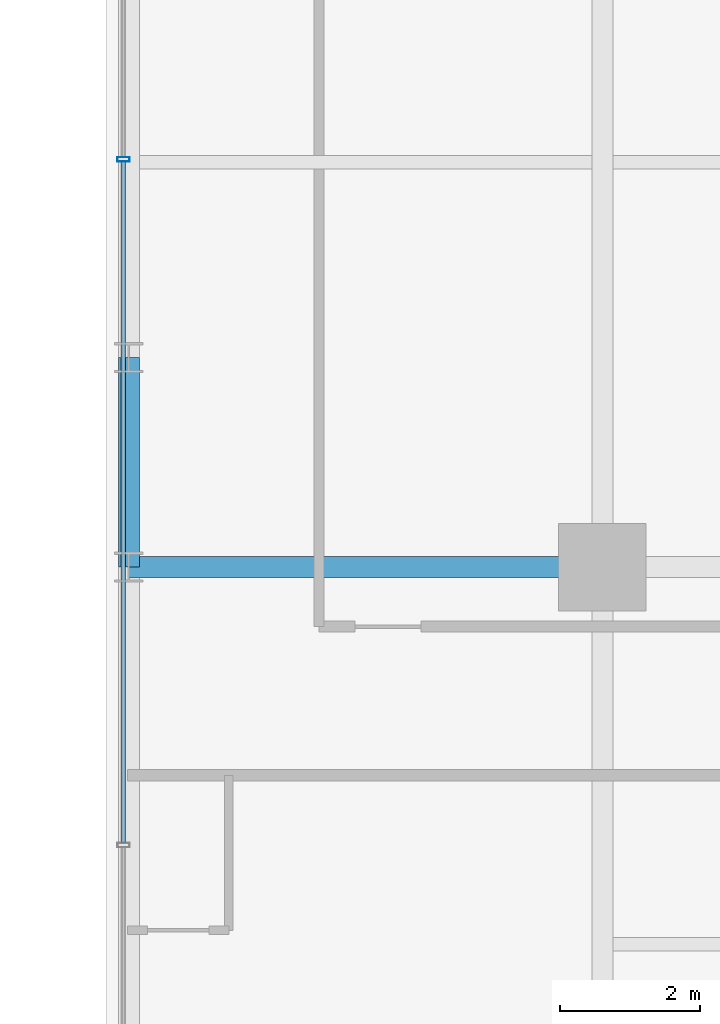
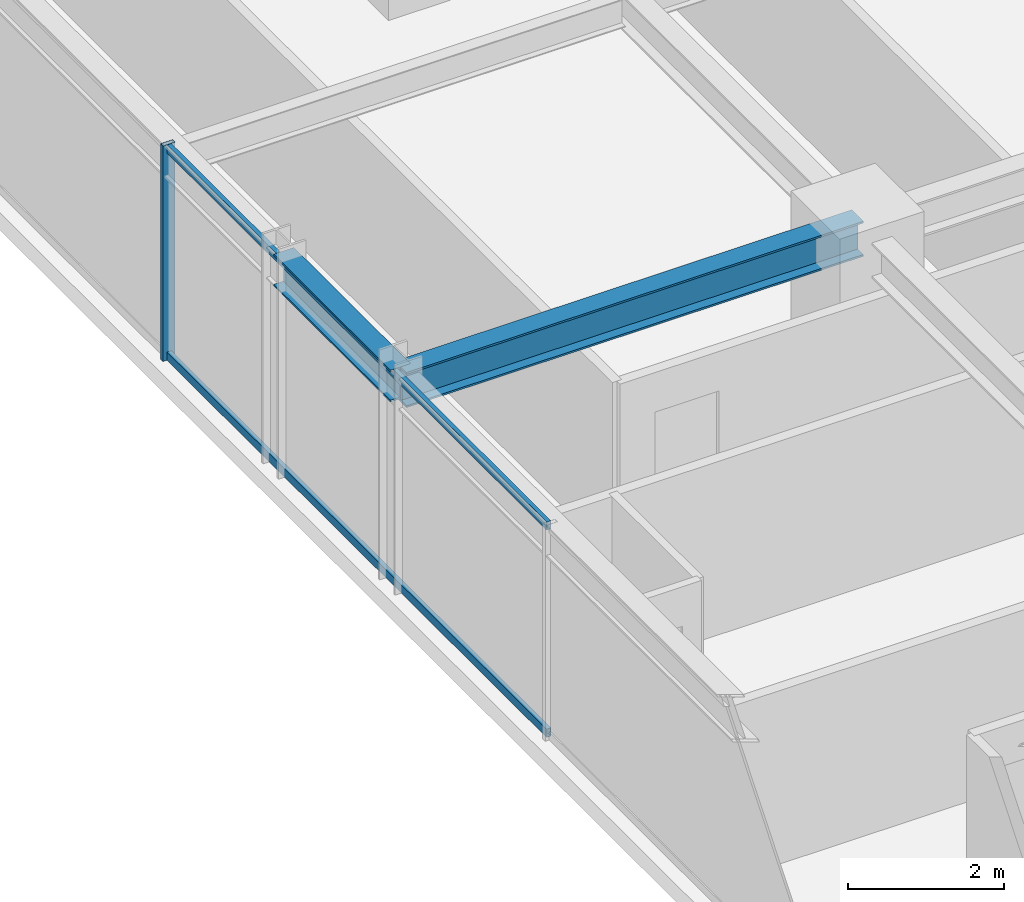
# One storey, part 17 of 32: 3 members, 2 beams, 1 element without a shape of its own.
"""IFC4 building model written with IfcOpenShell, lengths in metres."""

from ifc_helpers import new_model, si_unit, direction, frame, origin, origin_2d, place, context, subcontext, project, spatial, hollow_rectangle, i_section, extrude, source, transform, mapped, material, material_profile, profile_set, type_object, element, aggregate, save


model = new_model("IFC4")

# Units and contexts
model_context = context("Model", 3, precision=1e-05, world=origin(), true_north=direction((0.0, 1.0)))
body_context = subcontext(model_context, "Body", "Model", "MODEL_VIEW")
ifc_project = project(units=[si_unit("LENGTHUNIT", "METRE"), si_unit("AREAUNIT", "SQUARE_METRE"), si_unit("VOLUMEUNIT", "CUBIC_METRE"), si_unit("PLANEANGLEUNIT", "RADIAN"), si_unit("MASSUNIT", "GRAM", prefix="KILO")], contexts=[model_context])

# Site, building, storey
site_placement = place(None, origin())
site = spatial("IfcSite", under=ifc_project, at=site_placement, CompositionType="ELEMENT")
building_placement = place(site_placement, origin())
building = spatial("IfcBuilding", under=site, at=building_placement, Name="Nahalor Promenade Grand Hotel", CompositionType="ELEMENT")
storey_placement = place(building_placement, frame((0.0, 0.0, 110.199951171875)))
storey = spatial("IfcBuildingStorey", under=building, at=storey_placement, Name="L27", CompositionType="ELEMENT", Elevation=110.199951171875)

# Beams
ifc_material_1 = material(Name="Steel S355JR", Category="steel")
ifc_material_profile_1 = material_profile(ifc_material_1, i_section(OverallWidth=0.3, OverallDepth=0.5, WebThickness=0.0145, FlangeThickness=0.028, at=origin_2d()), Name="HEB 500")
ifc_profile_set_1 = profile_set([ifc_material_profile_1], Name="Steel S355JR")
beam_type_1 = type_object("IfcBeamType", Name="Beam-Spandrel-HEB500", PredefinedType="SPANDREL", material=ifc_profile_set_1)
shared_shape_1 = source(origin(), body_context, "Body", "SweptSolid", [
    extrude(i_section(OverallWidth=0.3, OverallDepth=0.5, WebThickness=0.0145, FlangeThickness=0.028, at=origin_2d()), origin(), (0.0, 0.0, 1.0), 3.0),
])
beam_1_placement = place(storey_placement, frame((-23.780029296875, 5.39990234375, 3.130126953125), z_axis=(0.0, 1.0, 0.0), x_axis=(-1.0, 0.0, 0.0)))
element("IfcBeam", 1, at=beam_1_placement, inside=storey, type_object=beam_type_1, Name="BM-L27-SP-W-3", PredefinedType="SPANDREL", context=body_context, shape_type="MappedRepresentation", body=[
    mapped(shared_shape_1, transform((0.0, 0.0, 0.0), scale=1.0)),
])
ifc_material_profile_2 = material_profile(ifc_material_1, i_section(OverallWidth=0.3, OverallDepth=0.55, WebThickness=0.015, FlangeThickness=0.029, at=origin_2d()), Name="HEB 550")
ifc_profile_set_2 = profile_set([ifc_material_profile_2], Name="Steel S355JR")
beam_type_2 = type_object("IfcBeamType", Name="Beam-Girder-HEB550", PredefinedType="BEAM", material=ifc_profile_set_2)
shared_shape_2 = source(origin(), body_context, "Body", "SweptSolid", [
    extrude(i_section(OverallWidth=0.3, OverallDepth=0.55, WebThickness=0.015, FlangeThickness=0.029, at=origin_2d()), origin(), (0.0, 0.0, 1.0), 6.780029296875),
])
beam_2_placement = place(storey_placement, frame((-23.780029296875, 5.39990234375, 3.10498046875), z_axis=(1.0, 0.0, 0.0), x_axis=(0.0, 1.0, 0.0)))
element("IfcBeam", 2, at=beam_2_placement, inside=storey, type_object=beam_type_2, Name="BM-L27-GX-2-0", PredefinedType="BEAM", context=body_context, shape_type="MappedRepresentation", body=[
    mapped(shared_shape_2, transform((0.0, 0.0, 0.0), scale=1.0)),
])

# Curtain wall, members
ifc_material_2 = material(Name="Anodised Bronze Aluminium EN AW-6063 T6", Category="aluminium")
curtain_wall_type = type_object("IfcCurtainWallType", Name="CW2 Typical Hotel Flush Bronze Unitised Curtain Wall", PredefinedType="USERDEFINED", material=ifc_material_2)
curtain_wall_placement = place(storey_placement, origin())
curtain_wall = element("IfcCurtainWall", 3, at=curtain_wall_placement, inside=storey, type_object=curtain_wall_type, Name="L27 Curtain Wall CW-L27-W-3", ObjectType="UNITISED_CURTAIN_WALL", PredefinedType="USERDEFINED")
ifc_material_profile_3 = material_profile(ifc_material_2, hollow_rectangle(XDim=0.065, YDim=0.13, WallThickness=0.004, at=origin_2d()), Name="CWT 65x130x4")
ifc_profile_set_3 = profile_set([ifc_material_profile_3], Name="Anodised Bronze Aluminium EN AW-6063 T6")
member_type_1 = type_object("IfcMemberType", Name="CWT2 Typical Bronze Transom 65x130", PredefinedType="USERDEFINED", material=ifc_profile_set_3)
shared_shape_3 = source(origin(), body_context, "Body", "SweptSolid", [
    extrude(hollow_rectangle(XDim=0.065, YDim=0.13, WallThickness=0.004, at=origin_2d()), origin(), (0.0, 0.0, 1.0), 9.755126953125),
])
member_1_placement = place(storey_placement, frame((-23.860107421875, 1.452392578125, 0.06494140625), z_axis=(0.0, 1.0, 0.0), x_axis=(-1.0, 0.0, 0.0)))
member_1 = element("IfcMember", 4, at=member_1_placement, type_object=member_type_1, Name="CW-L27-W-3 Transom 1-0", ObjectType="TRANSOM", PredefinedType="USERDEFINED", context=body_context, shape_type="MappedRepresentation", body=[
    mapped(shared_shape_3, transform((0.0, 0.0, 0.0), scale=1.0)),
])
member_2_placement = place(storey_placement, frame((-23.860107421875, 1.452392578125, 3.31494140625), z_axis=(0.0, 1.0, 0.0), x_axis=(-1.0, 0.0, 0.0)))
member_2 = element("IfcMember", 5, at=member_2_placement, type_object=member_type_1, Name="CW-L27-W-3 Transom 1-1", ObjectType="TRANSOM", PredefinedType="USERDEFINED", context=body_context, shape_type="MappedRepresentation", body=[
    mapped(shared_shape_3, transform((0.0, 0.0, 0.0), scale=1.0)),
])
ifc_material_profile_4 = material_profile(ifc_material_2, hollow_rectangle(XDim=0.065, YDim=0.18, WallThickness=0.004, at=origin_2d()), Name="CWM 65x180x4")
ifc_profile_set_4 = profile_set([ifc_material_profile_4], Name="Anodised Bronze Aluminium EN AW-6063 T6")
member_type_2 = type_object("IfcMemberType", Name="CWM2 Typical Bronze Mullion 65x180", PredefinedType="MULLION", material=ifc_profile_set_4)
shared_shape_4 = source(origin(), body_context, "Body", "SweptSolid", [
    extrude(hollow_rectangle(XDim=0.065, YDim=0.18, WallThickness=0.004, at=origin_2d()), origin(), (0.0, 0.0, 1.0), 3.380126953125),
])
member_3_placement = place(storey_placement, frame((-23.860107421875, 11.239990234375, 0.0), z_axis=(0.0, 0.0, 1.0), x_axis=(0.0, 1.0, 0.0)))
member_3 = element("IfcMember", 6, at=member_3_placement, type_object=member_type_2, Name="CW-L27-W-3 Mullion 2", PredefinedType="MULLION", context=body_context, shape_type="MappedRepresentation", body=[
    mapped(shared_shape_4, transform((0.0, 0.0, 0.0), scale=1.0)),
])
aggregate(curtain_wall, [member_3, member_1, member_2])

save(model, "model.ifc")
